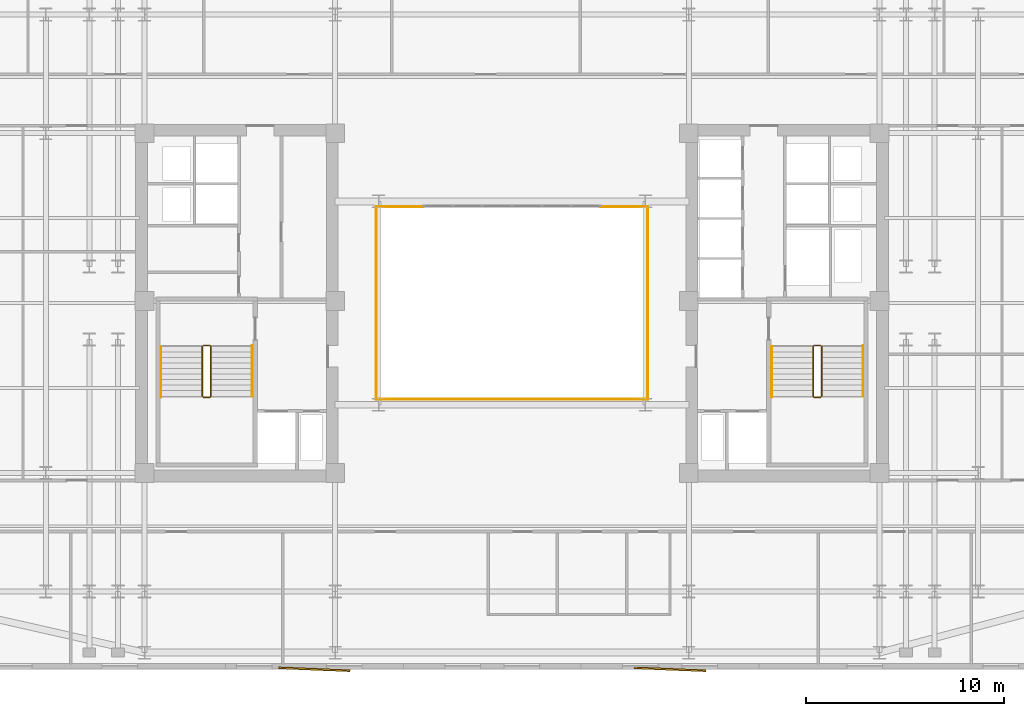
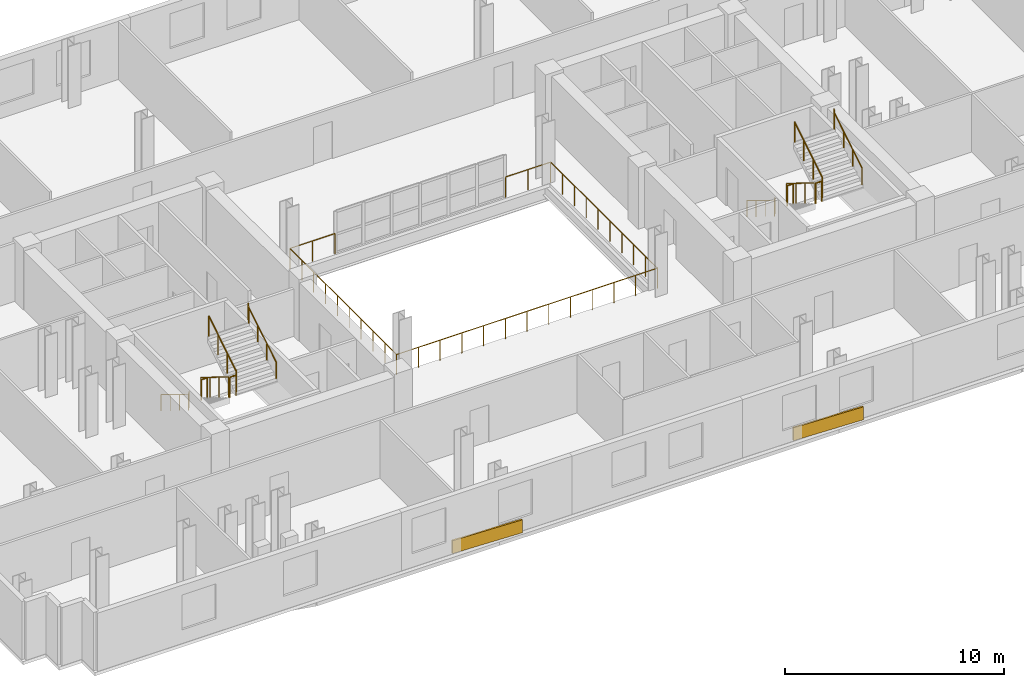
# One storey, part 11 of 12: 17 railings, 2 coverings.
"""IFC4 building model written with IfcOpenShell, lengths in metres."""

from ifc_helpers import new_model, si_unit, direction, frame, origin, origin_2d, place, context, subcontext, project, spatial, rectangle, circle, extrude, material, layer, layer_set, type_object, element, save


model = new_model("IFC4")

# Units and contexts
model_context = context("Model", 3, precision=1e-05, world=origin(), true_north=direction((0.0, 1.0)))
body_context = subcontext(model_context, "Body", "Model", "MODEL_VIEW")
ifc_project = project(units=[si_unit("LENGTHUNIT", "METRE"), si_unit("AREAUNIT", "SQUARE_METRE"), si_unit("VOLUMEUNIT", "CUBIC_METRE"), si_unit("PLANEANGLEUNIT", "RADIAN"), si_unit("MASSUNIT", "GRAM", prefix="KILO")], contexts=[model_context])

# Site, building, storey
site_placement = place(None, origin())
site = spatial("IfcSite", under=ifc_project, at=site_placement, CompositionType="ELEMENT")
building_placement = place(site_placement, origin())
building = spatial("IfcBuilding", under=site, at=building_placement, Name="Velakula Bourse", CompositionType="ELEMENT")
storey_placement = place(building_placement, frame((0.0, 0.0, 148.449951171875)))
storey = spatial("IfcBuildingStorey", under=building, at=storey_placement, Name="L40", CompositionType="ELEMENT", Elevation=148.449951171875)

# Coverings
ifc_material_1 = material(Name="Red kilned clay facing brick masonry", Category="masonry")
ifc_layer = layer(ifc_material_1, 0.090087890625, Name="Red kilned clay facing brick masonry", Category="masonry")
ifc_layer_set = layer_set([ifc_layer], Name="Red kilned clay facing brick masonry")
covering_type = type_object("IfcCoveringType", Name="COV-BRK-FOLD-90", PredefinedType="CLADDING", material=ifc_layer_set)
for number, where, z_axis, x_axis, name in (
    (1, (-10.0, -18.5400390625, 0.0), (0.0, 0.0, 1.0), (0.999158993058, -0.041003738744, 0.0), "L40 Folded Brick Facade Cladding Panel S-B2"),
    (2, (8.0, -18.5400390625, 0.0), (0.0, 0.0, 1.0), (0.999158993058, -0.041003738744, 0.0), "L40 Folded Brick Facade Cladding Panel S-B4"),
):
    element("IfcCovering", number, at=place(storey_placement, frame(where, z_axis=z_axis, x_axis=x_axis)), inside=storey, type_object=covering_type, Name=name, PredefinedType="CLADDING", context=body_context, shape_type="SweptSolid", body=[
        extrude(rectangle(XDim=3.60009765625, YDim=0.090087890625, at=origin_2d()), origin(), (0.0, 0.0, 1.0), 0.719970703125),
    ])

# Railings
ifc_material_2 = material(Name="Brushed grade 316 stainless steel", Category="steel")
railing_type_1 = type_object("IfcRailingType", Name="RLG-ATRIUM-1150", PredefinedType="BALUSTRADE", material=ifc_material_2)
railing_1_placement = place(storey_placement, frame((-6.8798828125, -4.8798828125, 0.0)))
element("IfcRailing", 3, at=railing_1_placement, inside=storey, type_object=railing_type_1, Name="L40 Central Trading Atrium Balustrade S", PredefinedType="BALUSTRADE", context=body_context, shape_type="SweptSolid", body=[
    extrude(circle(Radius=0.02392578125, at=origin_2d()), frame((0.0, 0.0, 1.1259765625), z_axis=(1.0, 0.0, 0.0), x_axis=(0.0, 1.0, 0.0)), (0.0, 0.0, 1.0), 13.759765625),
    extrude(circle(Radius=0.02099609375, at=origin_2d()), origin(), (0.0, 0.0, 1.0), 1.101806640625),
    extrude(circle(Radius=0.02099609375, at=origin_2d()), frame((1.146728515625, 0.0, 0.0)), (0.0, 0.0, 1.0), 1.101806640625),
    extrude(circle(Radius=0.02099609375, at=origin_2d()), frame((2.293212890625, 0.0, 0.0)), (0.0, 0.0, 1.0), 1.101806640625),
    extrude(circle(Radius=0.02099609375, at=origin_2d()), frame((3.43994140625, 0.0, 0.0)), (0.0, 0.0, 1.0), 1.101806640625),
    extrude(circle(Radius=0.02099609375, at=origin_2d()), frame((4.586669921875, 0.0, 0.0)), (0.0, 0.0, 1.0), 1.101806640625),
    extrude(circle(Radius=0.02099609375, at=origin_2d()), frame((5.733154296875, 0.0, 0.0)), (0.0, 0.0, 1.0), 1.101806640625),
    extrude(circle(Radius=0.02099609375, at=origin_2d()), frame((6.8798828125, 0.0, 0.0)), (0.0, 0.0, 1.0), 1.101806640625),
    extrude(circle(Radius=0.02099609375, at=origin_2d()), frame((8.026611328125, 0.0, 0.0)), (0.0, 0.0, 1.0), 1.101806640625),
    extrude(circle(Radius=0.02099609375, at=origin_2d()), frame((9.173095703125, 0.0, 0.0)), (0.0, 0.0, 1.0), 1.101806640625),
    extrude(circle(Radius=0.02099609375, at=origin_2d()), frame((10.31982421875, 0.0, 0.0)), (0.0, 0.0, 1.0), 1.101806640625),
    extrude(circle(Radius=0.02099609375, at=origin_2d()), frame((11.466552734375, 0.0, 0.0)), (0.0, 0.0, 1.0), 1.101806640625),
    extrude(circle(Radius=0.02099609375, at=origin_2d()), frame((12.613037109375, 0.0, 0.0)), (0.0, 0.0, 1.0), 1.101806640625),
    extrude(circle(Radius=0.02099609375, at=origin_2d()), frame((13.759765625, 0.0, 0.0)), (0.0, 0.0, 1.0), 1.101806640625),
])
railing_2_placement = place(storey_placement, frame((-6.8798828125, 4.8798828125, 0.0)))
element("IfcRailing", 4, at=railing_2_placement, inside=storey, type_object=railing_type_1, Name="L40 Central Trading Atrium Balustrade W", PredefinedType="BALUSTRADE", context=body_context, shape_type="SweptSolid", body=[
    extrude(circle(Radius=0.02392578125, at=origin_2d()), frame((0.0, 0.0, 1.1259765625), z_axis=(0.0, -1.0, 0.0), x_axis=(1.0, 0.0, 0.0)), (0.0, 0.0, 1.0), 9.759765625),
    extrude(circle(Radius=0.02099609375, at=origin_2d()), origin(), (0.0, 0.0, 1.0), 1.101806640625),
    extrude(circle(Radius=0.02099609375, at=origin_2d()), frame((0.0, -1.08447265625, 0.0)), (0.0, 0.0, 1.0), 1.101806640625),
    extrude(circle(Radius=0.02099609375, at=origin_2d()), frame((0.0, -2.1689453125, 0.0)), (0.0, 0.0, 1.0), 1.101806640625),
    extrude(circle(Radius=0.02099609375, at=origin_2d()), frame((0.0, -3.253173828125, 0.0)), (0.0, 0.0, 1.0), 1.101806640625),
    extrude(circle(Radius=0.02099609375, at=origin_2d()), frame((0.0, -4.337646484375, 0.0)), (0.0, 0.0, 1.0), 1.101806640625),
    extrude(circle(Radius=0.02099609375, at=origin_2d()), frame((0.0, -5.422119140625, 0.0)), (0.0, 0.0, 1.0), 1.101806640625),
    extrude(circle(Radius=0.02099609375, at=origin_2d()), frame((0.0, -6.506591796875, 0.0)), (0.0, 0.0, 1.0), 1.101806640625),
    extrude(circle(Radius=0.02099609375, at=origin_2d()), frame((0.0, -7.5908203125, 0.0)), (0.0, 0.0, 1.0), 1.101806640625),
    extrude(circle(Radius=0.02099609375, at=origin_2d()), frame((0.0, -8.67529296875, 0.0)), (0.0, 0.0, 1.0), 1.101806640625),
    extrude(circle(Radius=0.02099609375, at=origin_2d()), frame((0.0, -9.759765625, 0.0)), (0.0, 0.0, 1.0), 1.101806640625),
])
railing_3_placement = place(storey_placement, frame((6.8798828125, -4.8798828125, 0.0)))
element("IfcRailing", 5, at=railing_3_placement, inside=storey, type_object=railing_type_1, Name="L40 Central Trading Atrium Balustrade E", PredefinedType="BALUSTRADE", context=body_context, shape_type="SweptSolid", body=[
    extrude(circle(Radius=0.02392578125, at=origin_2d()), frame((0.0, 0.0, 1.1259765625), z_axis=(0.0, 1.0, 0.0), x_axis=(-1.0, 0.0, 0.0)), (0.0, 0.0, 1.0), 9.759765625),
    extrude(circle(Radius=0.02099609375, at=origin_2d()), origin(), (0.0, 0.0, 1.0), 1.101806640625),
    extrude(circle(Radius=0.02099609375, at=origin_2d()), frame((0.0, 1.08447265625, 0.0)), (0.0, 0.0, 1.0), 1.101806640625),
    extrude(circle(Radius=0.02099609375, at=origin_2d()), frame((0.0, 2.1689453125, 0.0)), (0.0, 0.0, 1.0), 1.101806640625),
    extrude(circle(Radius=0.02099609375, at=origin_2d()), frame((0.0, 3.253173828125, 0.0)), (0.0, 0.0, 1.0), 1.101806640625),
    extrude(circle(Radius=0.02099609375, at=origin_2d()), frame((0.0, 4.337646484375, 0.0)), (0.0, 0.0, 1.0), 1.101806640625),
    extrude(circle(Radius=0.02099609375, at=origin_2d()), frame((0.0, 5.422119140625, 0.0)), (0.0, 0.0, 1.0), 1.101806640625),
    extrude(circle(Radius=0.02099609375, at=origin_2d()), frame((0.0, 6.506591796875, 0.0)), (0.0, 0.0, 1.0), 1.101806640625),
    extrude(circle(Radius=0.02099609375, at=origin_2d()), frame((0.0, 7.5908203125, 0.0)), (0.0, 0.0, 1.0), 1.101806640625),
    extrude(circle(Radius=0.02099609375, at=origin_2d()), frame((0.0, 8.67529296875, 0.0)), (0.0, 0.0, 1.0), 1.101806640625),
    extrude(circle(Radius=0.02099609375, at=origin_2d()), frame((0.0, 9.759765625, 0.0)), (0.0, 0.0, 1.0), 1.101806640625),
])
for number, where, name in (
    (6, (-4.5, 4.8798828125, 0.0), "L40 Central Trading Atrium Balustrade NW"),
    (7, (6.8798828125, 4.8798828125, 0.0), "L40 Central Trading Atrium Balustrade NE"),
):
    element("IfcRailing", number, at=place(storey_placement, frame(where)), inside=storey, type_object=railing_type_1, Name=name, PredefinedType="BALUSTRADE", context=body_context, shape_type="SweptSolid", body=[
        extrude(circle(Radius=0.02392578125, at=origin_2d()), frame((0.0, 0.0, 1.1259765625), z_axis=(-1.0, 0.0, 0.0), x_axis=(0.0, -1.0, 0.0)), (0.0, 0.0, 1.0), 2.3798828125),
        extrude(circle(Radius=0.02099609375, at=origin_2d()), origin(), (0.0, 0.0, 1.0), 1.101806640625),
        extrude(circle(Radius=0.02099609375, at=origin_2d()), frame((-1.18994140625, 0.0, 0.0)), (0.0, 0.0, 1.0), 1.101806640625),
        extrude(circle(Radius=0.02099609375, at=origin_2d()), frame((-2.3798828125, 0.0, 0.0)), (0.0, 0.0, 1.0), 1.101806640625),
    ])
railing_type_2 = type_object("IfcRailingType", Name="RLG-STAIR-GUARD-1150", PredefinedType="BALUSTRADE", material=ifc_material_2)
railing_4_placement = place(storey_placement, frame((-15.672119140625, -2.199951171875, 0.172607421875)))
element("IfcRailing", 8, at=railing_4_placement, inside=storey, type_object=railing_type_2, Name="L40 ST-W1 stair guard 1", PredefinedType="BALUSTRADE", context=body_context, shape_type="SweptSolid", body=[
    extrude(circle(Radius=0.02490234375, at=origin_2d()), frame((0.0, 0.0, 1.125), z_axis=(0.0, -0.851400495292, 0.524516154772), x_axis=(1.0, 0.0, 0.0)), (0.0, 0.0, 1.0), 2.9599609375),
    extrude(circle(Radius=0.02099609375, at=origin_2d()), origin(), (0.0, 0.0, 1.0), 1.099853515625),
    extrude(circle(Radius=0.02099609375, at=origin_2d()), frame((0.0, -0.840087890625, 0.517578125)), (0.0, 0.0, 1.0), 1.099853515625),
    extrude(circle(Radius=0.02099609375, at=origin_2d()), frame((0.0, -1.679931640625, 1.034912109375)), (0.0, 0.0, 1.0), 1.099853515625),
    extrude(circle(Radius=0.02099609375, at=origin_2d()), frame((0.0, -2.52001953125, 1.552490234375)), (0.0, 0.0, 1.0), 1.099853515625),
])
railing_5_placement = place(storey_placement, frame((-15.6220703125, -4.77001953125, 1.72509765625)))
element("IfcRailing", 9, at=railing_5_placement, inside=storey, type_object=railing_type_2, Name="L40 ST-W1 stair guard 2", PredefinedType="BALUSTRADE", context=body_context, shape_type="SweptSolid", body=[
    extrude(circle(Radius=0.02490234375, at=origin_2d()), frame((0.0, 0.0, 1.125), z_axis=(1.0, 0.0, 0.0), x_axis=(0.0, 1.0, 0.0)), (0.0, 0.0, 1.0), 0.323974609375),
    extrude(circle(Radius=0.02099609375, at=origin_2d()), origin(), (0.0, 0.0, 1.0), 1.099853515625),
    extrude(circle(Radius=0.02099609375, at=origin_2d()), frame((0.323974609375, 0.0, 0.0)), (0.0, 0.0, 1.0), 1.099853515625),
])
railing_6_placement = place(storey_placement, frame((-15.248046875, -4.719970703125, 1.8974609375)))
element("IfcRailing", 10, at=railing_6_placement, inside=storey, type_object=railing_type_2, Name="L40 ST-W1 stair guard 3", PredefinedType="BALUSTRADE", context=body_context, shape_type="SweptSolid", body=[
    extrude(circle(Radius=0.02490234375, at=origin_2d()), frame((0.0, 0.0, 1.125), z_axis=(0.0, 0.851400495292, 0.524516154772), x_axis=(-1.0, 0.0, 0.0)), (0.0, 0.0, 1.0), 2.9599609375),
    extrude(circle(Radius=0.02099609375, at=origin_2d()), origin(), (0.0, 0.0, 1.0), 1.099853515625),
    extrude(circle(Radius=0.02099609375, at=origin_2d()), frame((0.0, 0.840087890625, 0.517578125)), (0.0, 0.0, 1.0), 1.099853515625),
    extrude(circle(Radius=0.02099609375, at=origin_2d()), frame((0.0, 1.679931640625, 1.034912109375)), (0.0, 0.0, 1.0), 1.099853515625),
    extrude(circle(Radius=0.02099609375, at=origin_2d()), frame((0.0, 2.52001953125, 1.552490234375)), (0.0, 0.0, 1.0), 1.099853515625),
])
railing_7_placement = place(storey_placement, frame((-15.6220703125, -2.14990234375, 0.0)))
element("IfcRailing", 11, at=railing_7_placement, inside=storey, type_object=railing_type_2, Name="L40 ST-W1 stair guard 4", PredefinedType="BALUSTRADE", context=body_context, shape_type="SweptSolid", body=[
    extrude(circle(Radius=0.02490234375, at=origin_2d()), frame((0.0, 0.0, 1.125), z_axis=(1.0, 0.0, 0.0), x_axis=(0.0, 1.0, 0.0)), (0.0, 0.0, 1.0), 0.323974609375),
    extrude(circle(Radius=0.02099609375, at=origin_2d()), origin(), (0.0, 0.0, 1.0), 1.099853515625),
    extrude(circle(Radius=0.02099609375, at=origin_2d()), frame((0.323974609375, 0.0, 0.0)), (0.0, 0.0, 1.0), 1.099853515625),
])
railing_8_placement = place(storey_placement, frame((15.248046875, -2.199951171875, 0.172607421875)))
element("IfcRailing", 12, at=railing_8_placement, inside=storey, type_object=railing_type_2, Name="L40 ST-E1 stair guard 1", PredefinedType="BALUSTRADE", context=body_context, shape_type="SweptSolid", body=[
    extrude(circle(Radius=0.02490234375, at=origin_2d()), frame((0.0, 0.0, 1.125), z_axis=(0.0, -0.851400495292, 0.524516154772), x_axis=(1.0, 0.0, 0.0)), (0.0, 0.0, 1.0), 2.9599609375),
    extrude(circle(Radius=0.02099609375, at=origin_2d()), origin(), (0.0, 0.0, 1.0), 1.099853515625),
    extrude(circle(Radius=0.02099609375, at=origin_2d()), frame((0.0, -0.840087890625, 0.517578125)), (0.0, 0.0, 1.0), 1.099853515625),
    extrude(circle(Radius=0.02099609375, at=origin_2d()), frame((0.0, -1.679931640625, 1.034912109375)), (0.0, 0.0, 1.0), 1.099853515625),
    extrude(circle(Radius=0.02099609375, at=origin_2d()), frame((0.0, -2.52001953125, 1.552490234375)), (0.0, 0.0, 1.0), 1.099853515625),
])
railing_9_placement = place(storey_placement, frame((15.298095703125, -4.77001953125, 1.72509765625)))
element("IfcRailing", 13, at=railing_9_placement, inside=storey, type_object=railing_type_2, Name="L40 ST-E1 stair guard 2", PredefinedType="BALUSTRADE", context=body_context, shape_type="SweptSolid", body=[
    extrude(circle(Radius=0.02490234375, at=origin_2d()), frame((0.0, 0.0, 1.125), z_axis=(1.0, 0.0, 0.0), x_axis=(0.0, 1.0, 0.0)), (0.0, 0.0, 1.0), 0.323974609375),
    extrude(circle(Radius=0.02099609375, at=origin_2d()), origin(), (0.0, 0.0, 1.0), 1.099853515625),
    extrude(circle(Radius=0.02099609375, at=origin_2d()), frame((0.323974609375, 0.0, 0.0)), (0.0, 0.0, 1.0), 1.099853515625),
])
railing_10_placement = place(storey_placement, frame((15.672119140625, -4.719970703125, 1.8974609375)))
element("IfcRailing", 14, at=railing_10_placement, inside=storey, type_object=railing_type_2, Name="L40 ST-E1 stair guard 3", PredefinedType="BALUSTRADE", context=body_context, shape_type="SweptSolid", body=[
    extrude(circle(Radius=0.02490234375, at=origin_2d()), frame((0.0, 0.0, 1.125), z_axis=(0.0, 0.851400495292, 0.524516154772), x_axis=(-1.0, 0.0, 0.0)), (0.0, 0.0, 1.0), 2.9599609375),
    extrude(circle(Radius=0.02099609375, at=origin_2d()), origin(), (0.0, 0.0, 1.0), 1.099853515625),
    extrude(circle(Radius=0.02099609375, at=origin_2d()), frame((0.0, 0.840087890625, 0.517578125)), (0.0, 0.0, 1.0), 1.099853515625),
    extrude(circle(Radius=0.02099609375, at=origin_2d()), frame((0.0, 1.679931640625, 1.034912109375)), (0.0, 0.0, 1.0), 1.099853515625),
    extrude(circle(Radius=0.02099609375, at=origin_2d()), frame((0.0, 2.52001953125, 1.552490234375)), (0.0, 0.0, 1.0), 1.099853515625),
])
railing_11_placement = place(storey_placement, frame((15.298095703125, -2.14990234375, 0.0)))
element("IfcRailing", 15, at=railing_11_placement, inside=storey, type_object=railing_type_2, Name="L40 ST-E1 stair guard 4", PredefinedType="BALUSTRADE", context=body_context, shape_type="SweptSolid", body=[
    extrude(circle(Radius=0.02490234375, at=origin_2d()), frame((0.0, 0.0, 1.125), z_axis=(1.0, 0.0, 0.0), x_axis=(0.0, 1.0, 0.0)), (0.0, 0.0, 1.0), 0.323974609375),
    extrude(circle(Radius=0.02099609375, at=origin_2d()), origin(), (0.0, 0.0, 1.0), 1.099853515625),
    extrude(circle(Radius=0.02099609375, at=origin_2d()), frame((0.323974609375, 0.0, 0.0)), (0.0, 0.0, 1.0), 1.099853515625),
])
railing_type_3 = type_object("IfcRailingType", Name="RLG-STAIR-HAND-920", PredefinedType="HANDRAIL", material=ifc_material_2)
railing_12_placement = place(storey_placement, frame((-17.77001953125, -2.199951171875, 0.172607421875)))
element("IfcRailing", 16, at=railing_12_placement, inside=storey, type_object=railing_type_3, Name="L40 ST-W1 stair handrail 1", PredefinedType="HANDRAIL", context=body_context, shape_type="SweptSolid", body=[
    extrude(circle(Radius=0.02099609375, at=origin_2d()), frame((0.0, 0.0, 0.89892578125), z_axis=(0.0, -0.851400495292, 0.524516154772), x_axis=(1.0, 0.0, 0.0)), (0.0, 0.0, 1.0), 2.9599609375),
    extrude(circle(Radius=0.02099609375, at=origin_2d()), frame((0.0, -2.52001953125, 2.451416015625), z_axis=(0.0, -0.226269970362, 0.974064628509), x_axis=(1.0, 0.0, 0.0)), (0.0, 0.0, 1.0), 0.177001953125),
    extrude(circle(Radius=0.02099609375, at=origin_2d()), frame((0.0, -2.56005859375, 2.623779296875), z_axis=(0.0, -1.0, 0.0), x_axis=(1.0, 0.0, 0.0)), (0.0, 0.0, 1.0), 0.0048828125),
    extrude(circle(Radius=0.02099609375, at=origin_2d()), origin(), (0.0, 0.0, 1.0), 0.8779296875),
    extrude(circle(Radius=0.02099609375, at=origin_2d()), frame((0.0, -0.840087890625, 0.517578125)), (0.0, 0.0, 1.0), 0.8779296875),
    extrude(circle(Radius=0.02099609375, at=origin_2d()), frame((0.0, -1.679931640625, 1.034912109375)), (0.0, 0.0, 1.0), 0.8779296875),
    extrude(circle(Radius=0.02099609375, at=origin_2d()), frame((0.0, -2.52001953125, 1.552490234375)), (0.0, 0.0, 1.0), 0.8779296875),
    extrude(circle(Radius=0.02099609375, at=origin_2d()), frame((0.0, -2.56005859375, 1.724853515625)), (0.0, 0.0, 1.0), 0.8779296875),
    extrude(circle(Radius=0.02099609375, at=origin_2d()), frame((0.0, -2.56494140625, 1.724853515625)), (0.0, 0.0, 1.0), 0.8779296875),
])
railing_13_placement = place(storey_placement, frame((-13.14990234375, -4.719970703125, 1.8974609375)))
element("IfcRailing", 17, at=railing_13_placement, inside=storey, type_object=railing_type_3, Name="L40 ST-W1 stair handrail 2", PredefinedType="HANDRAIL", context=body_context, shape_type="SweptSolid", body=[
    extrude(circle(Radius=0.02099609375, at=origin_2d()), frame((0.0, 0.0, 0.89892578125), z_axis=(0.0, 0.851400495292, 0.524516154772), x_axis=(-1.0, 0.0, 0.0)), (0.0, 0.0, 1.0), 2.9599609375),
    extrude(circle(Radius=0.02099609375, at=origin_2d()), frame((0.0, 2.52001953125, 2.451416015625), z_axis=(0.0, 0.22596628056, 0.974135124123), x_axis=(-1.0, 0.0, 0.0)), (0.0, 0.0, 1.0), 0.17724609375),
    extrude(circle(Radius=0.02099609375, at=origin_2d()), frame((0.0, 2.56005859375, 2.6240234375), z_axis=(0.0, 1.0, 0.0), x_axis=(-1.0, 0.0, 0.0)), (0.0, 0.0, 1.0), 0.0048828125),
    extrude(circle(Radius=0.02099609375, at=origin_2d()), origin(), (0.0, 0.0, 1.0), 0.8779296875),
    extrude(circle(Radius=0.02099609375, at=origin_2d()), frame((0.0, 0.840087890625, 0.517578125)), (0.0, 0.0, 1.0), 0.8779296875),
    extrude(circle(Radius=0.02099609375, at=origin_2d()), frame((0.0, 1.679931640625, 1.034912109375)), (0.0, 0.0, 1.0), 0.8779296875),
    extrude(circle(Radius=0.02099609375, at=origin_2d()), frame((0.0, 2.52001953125, 1.552490234375)), (0.0, 0.0, 1.0), 0.8779296875),
    extrude(circle(Radius=0.02099609375, at=origin_2d()), frame((0.0, 2.56005859375, 1.72509765625)), (0.0, 0.0, 1.0), 0.8779296875),
    extrude(circle(Radius=0.02099609375, at=origin_2d()), frame((0.0, 2.56494140625, 1.72509765625)), (0.0, 0.0, 1.0), 0.8779296875),
])
railing_14_placement = place(storey_placement, frame((13.14990234375, -2.199951171875, 0.172607421875)))
element("IfcRailing", 18, at=railing_14_placement, inside=storey, type_object=railing_type_3, Name="L40 ST-E1 stair handrail 1", PredefinedType="HANDRAIL", context=body_context, shape_type="SweptSolid", body=[
    extrude(circle(Radius=0.02099609375, at=origin_2d()), frame((0.0, 0.0, 0.89892578125), z_axis=(0.0, -0.851400495292, 0.524516154772), x_axis=(1.0, 0.0, 0.0)), (0.0, 0.0, 1.0), 2.9599609375),
    extrude(circle(Radius=0.02099609375, at=origin_2d()), frame((0.0, -2.52001953125, 2.451416015625), z_axis=(0.0, -0.226269970362, 0.974064628509), x_axis=(1.0, 0.0, 0.0)), (0.0, 0.0, 1.0), 0.177001953125),
    extrude(circle(Radius=0.02099609375, at=origin_2d()), frame((0.0, -2.56005859375, 2.623779296875), z_axis=(0.0, -1.0, 0.0), x_axis=(1.0, 0.0, 0.0)), (0.0, 0.0, 1.0), 0.0048828125),
    extrude(circle(Radius=0.02099609375, at=origin_2d()), origin(), (0.0, 0.0, 1.0), 0.8779296875),
    extrude(circle(Radius=0.02099609375, at=origin_2d()), frame((0.0, -0.840087890625, 0.517578125)), (0.0, 0.0, 1.0), 0.8779296875),
    extrude(circle(Radius=0.02099609375, at=origin_2d()), frame((0.0, -1.679931640625, 1.034912109375)), (0.0, 0.0, 1.0), 0.8779296875),
    extrude(circle(Radius=0.02099609375, at=origin_2d()), frame((0.0, -2.52001953125, 1.552490234375)), (0.0, 0.0, 1.0), 0.8779296875),
    extrude(circle(Radius=0.02099609375, at=origin_2d()), frame((0.0, -2.56005859375, 1.724853515625)), (0.0, 0.0, 1.0), 0.8779296875),
    extrude(circle(Radius=0.02099609375, at=origin_2d()), frame((0.0, -2.56494140625, 1.724853515625)), (0.0, 0.0, 1.0), 0.8779296875),
])
railing_15_placement = place(storey_placement, frame((17.77001953125, -4.719970703125, 1.8974609375)))
element("IfcRailing", 19, at=railing_15_placement, inside=storey, type_object=railing_type_3, Name="L40 ST-E1 stair handrail 2", PredefinedType="HANDRAIL", context=body_context, shape_type="SweptSolid", body=[
    extrude(circle(Radius=0.02099609375, at=origin_2d()), frame((0.0, 0.0, 0.89892578125), z_axis=(0.0, 0.851400495292, 0.524516154772), x_axis=(-1.0, 0.0, 0.0)), (0.0, 0.0, 1.0), 2.9599609375),
    extrude(circle(Radius=0.02099609375, at=origin_2d()), frame((0.0, 2.52001953125, 2.451416015625), z_axis=(0.0, 0.22596628056, 0.974135124123), x_axis=(-1.0, 0.0, 0.0)), (0.0, 0.0, 1.0), 0.17724609375),
    extrude(circle(Radius=0.02099609375, at=origin_2d()), frame((0.0, 2.56005859375, 2.6240234375), z_axis=(0.0, 1.0, 0.0), x_axis=(-1.0, 0.0, 0.0)), (0.0, 0.0, 1.0), 0.0048828125),
    extrude(circle(Radius=0.02099609375, at=origin_2d()), origin(), (0.0, 0.0, 1.0), 0.8779296875),
    extrude(circle(Radius=0.02099609375, at=origin_2d()), frame((0.0, 0.840087890625, 0.517578125)), (0.0, 0.0, 1.0), 0.8779296875),
    extrude(circle(Radius=0.02099609375, at=origin_2d()), frame((0.0, 1.679931640625, 1.034912109375)), (0.0, 0.0, 1.0), 0.8779296875),
    extrude(circle(Radius=0.02099609375, at=origin_2d()), frame((0.0, 2.52001953125, 1.552490234375)), (0.0, 0.0, 1.0), 0.8779296875),
    extrude(circle(Radius=0.02099609375, at=origin_2d()), frame((0.0, 2.56005859375, 1.72509765625)), (0.0, 0.0, 1.0), 0.8779296875),
    extrude(circle(Radius=0.02099609375, at=origin_2d()), frame((0.0, 2.56494140625, 1.72509765625)), (0.0, 0.0, 1.0), 0.8779296875),
])

save(model, "model.ifc")
